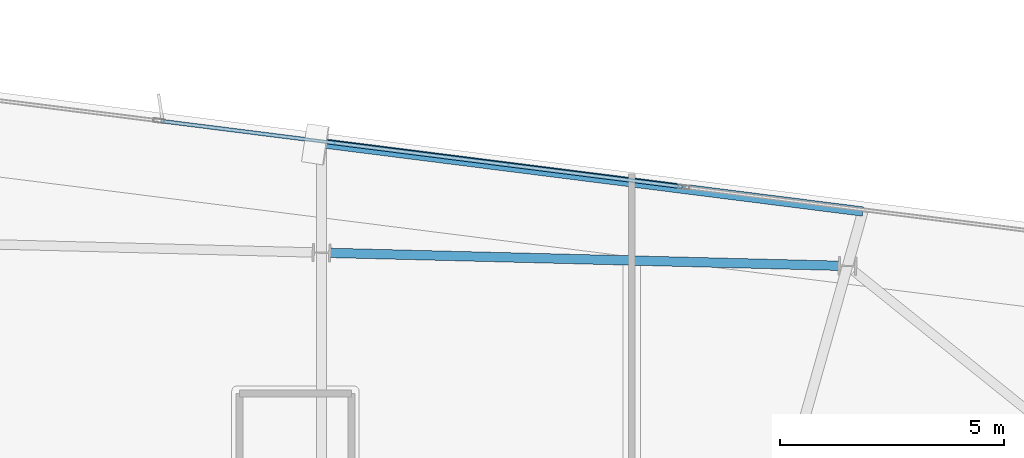
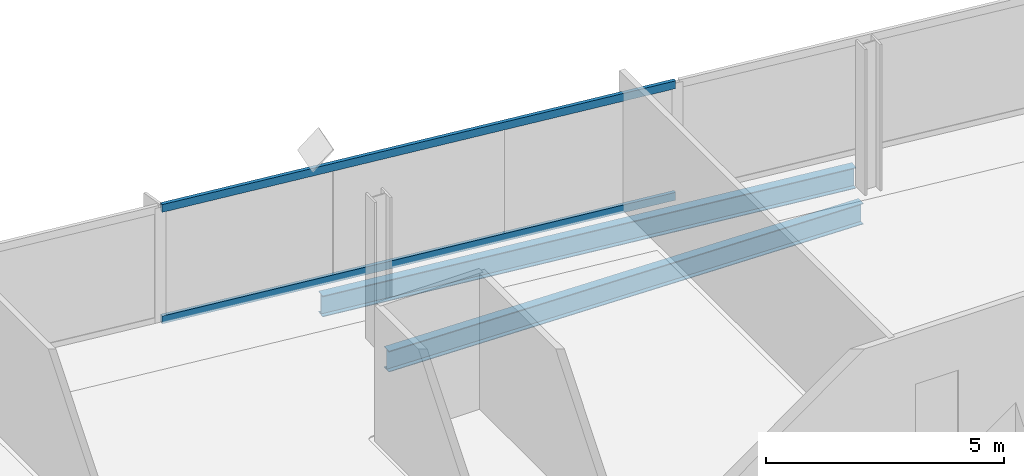
# One storey, part 13 of 23: 2 beams, 2 members, 1 element without a shape of its own.
"""IFC4 building model written with IfcOpenShell, lengths in metres."""

from ifc_helpers import new_model, si_unit, direction, frame, origin, origin_2d, place, context, subcontext, project, spatial, hollow_rectangle, i_section, extrude, material, material_profile, profile_set, type_object, element, aggregate, save


model = new_model("IFC4")

# Units and contexts
model_context = context("Model", 3, precision=1e-05, world=origin(), true_north=direction((0.0, 1.0)))
body_context = subcontext(model_context, "Body", "Model", "MODEL_VIEW")
ifc_project = project(units=[si_unit("LENGTHUNIT", "METRE"), si_unit("AREAUNIT", "SQUARE_METRE"), si_unit("VOLUMEUNIT", "CUBIC_METRE"), si_unit("PLANEANGLEUNIT", "RADIAN"), si_unit("MASSUNIT", "GRAM", prefix="KILO")], contexts=[model_context])

# Site, building, storey
site_placement = place(None, origin())
site = spatial("IfcSite", under=ifc_project, at=site_placement, CompositionType="ELEMENT")
building_placement = place(site_placement, origin())
building = spatial("IfcBuilding", under=site, at=building_placement, Name="Haldenkirk Collegiate Tower", CompositionType="ELEMENT")
storey_placement = place(building_placement, frame((0.0, 0.0, 306.449951171875)))
storey = spatial("IfcBuildingStorey", under=building, at=storey_placement, Name="L77", CompositionType="ELEMENT", Elevation=306.449951171875)

# Beams
ifc_material_1 = material(Name="Steel ASTM A992 Grade 50", Category="steel")
ifc_material_profile_1 = material_profile(ifc_material_1, i_section(OverallWidth=0.2099609375, OverallDepth=0.537109375, WebThickness=0.010986328125, FlangeThickness=0.017333984375, at=origin_2d()), Name="W21X68")
ifc_profile_set_1 = profile_set([ifc_material_profile_1], Name="Steel ASTM A992 Grade 50")
beam_type = type_object("IfcBeamType", Name="BM-SPANDREL-W21X68", PredefinedType="SPANDREL", material=ifc_profile_set_1)
beam_1_placement = place(storey_placement, frame((48.123779296875, 45.74951171875, -0.528564453125), z_axis=(-0.999679864584, 0.025301548267, 0.0), x_axis=(-0.025301548267, -0.999679864584, 0.0)))
element("IfcBeam", 1, at=beam_1_placement, inside=storey, type_object=beam_type, Name="L77 perimeter spandrel beam 06", PredefinedType="SPANDREL", context=body_context, shape_type="SweptSolid", body=[
    extrude(i_section(OverallWidth=0.2099609375, OverallDepth=0.537109375, WebThickness=0.010986328125, FlangeThickness=0.017333984375, at=origin_2d()), origin(), (0.0, 0.0, 1.0), 11.357177734375),
])
beam_2_placement = place(storey_placement, frame((48.654052734375, 46.959228515625, -0.528564453125), z_axis=(-0.992113410003, 0.125343454926, 0.0), x_axis=(-0.125343454926, -0.992113410003, 0.0)))
element("IfcBeam", 2, at=beam_2_placement, inside=storey, type_object=beam_type, Name="L77 outer facade edge beam 2", PredefinedType="SPANDREL", context=body_context, shape_type="SweptSolid", body=[
    extrude(i_section(OverallWidth=0.2099609375, OverallDepth=0.537109375, WebThickness=0.010986328125, FlangeThickness=0.017333984375, at=origin_2d()), origin(), (0.0, 0.0, 1.0), 12.167724609375),
])

# Curtain wall, members
ifc_material_2 = material(Name="Anodised architectural bronze aluminium", Category="aluminium")
curtain_wall_type = type_object("IfcCurtainWallType", Name="CW-SYS1B-CONVEX-HI", PredefinedType="USERDEFINED", material=ifc_material_2)
curtain_wall_placement = place(storey_placement, origin())
curtain_wall = element("IfcCurtainWall", 3, at=curtain_wall_placement, inside=storey, type_object=curtain_wall_type, Name="L77 Upper tower high-wind convex bronze unitised curtain wall", ObjectType="UNITISED CURTAIN WALL", PredefinedType="USERDEFINED")
ifc_material_profile_2 = material_profile(ifc_material_2, hollow_rectangle(XDim=0.0849609375, YDim=0.199951171875, WallThickness=0.0048828125, at=origin_2d()), Name="CW-TRN-1B")
ifc_profile_set_2 = profile_set([ifc_material_profile_2], Name="Anodised architectural bronze aluminium")
member_type = type_object("IfcMemberType", Name="CW-TRN-1B", PredefinedType="USERDEFINED", material=ifc_profile_set_2)
member_1_placement = place(storey_placement, frame((32.99853515625, 48.977294921875, 0.04248046875), z_axis=(0.992115122966, -0.125329895804, 0.0), x_axis=(0.125329895804, 0.992115122966, 0.0)))
member_1 = element("IfcMember", 4, at=member_1_placement, type_object=member_type, Name="CW-1B transom 2.1", ObjectType="TRANSOM", PredefinedType="USERDEFINED", context=body_context, shape_type="SweptSolid", body=[
    extrude(hollow_rectangle(XDim=0.0849609375, YDim=0.199951171875, WallThickness=0.0048828125, at=origin_2d()), origin(), (0.0, 0.0, 1.0), 11.715087890625),
])
member_2_placement = place(storey_placement, frame((32.99853515625, 48.977294921875, 2.905517578125), z_axis=(0.992115122966, -0.125329895804, 0.0), x_axis=(0.125329895804, 0.992115122966, 0.0)))
member_2 = element("IfcMember", 5, at=member_2_placement, type_object=member_type, Name="CW-1B transom 2.2", ObjectType="TRANSOM", PredefinedType="USERDEFINED", context=body_context, shape_type="SweptSolid", body=[
    extrude(hollow_rectangle(XDim=0.0849609375, YDim=0.199951171875, WallThickness=0.0048828125, at=origin_2d()), origin(), (0.0, 0.0, 1.0), 11.715087890625),
])
aggregate(curtain_wall, [member_1, member_2])

save(model, "model.ifc")
